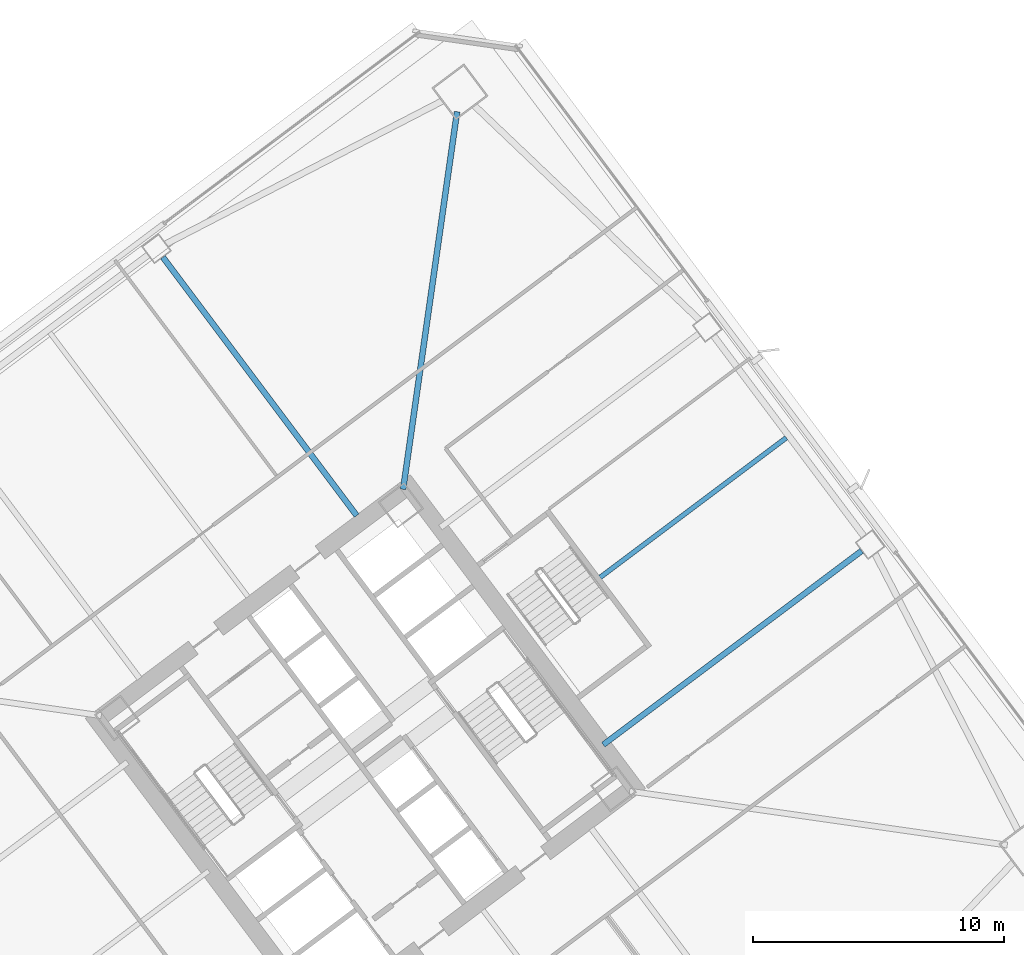
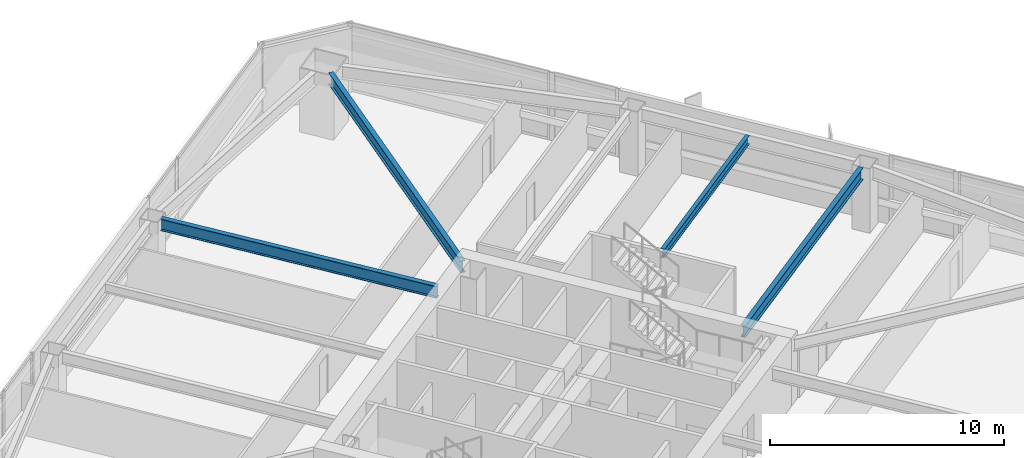
# One storey, part 34 of 62: 4 beams.
"""IFC4 building model written with IfcOpenShell, lengths in metres."""

from ifc_helpers import new_model, si_unit, direction, frame, origin, origin_2d, place, context, subcontext, project, spatial, i_section, extrude, material, material_profile, profile_set, type_object, element, save


model = new_model("IFC4")

# Units and contexts
model_context = context("Model", 3, precision=1e-05, world=origin(), true_north=direction((0.0, 1.0)))
body_context = subcontext(model_context, "Body", "Model", "MODEL_VIEW")
ifc_project = project(units=[si_unit("LENGTHUNIT", "METRE"), si_unit("AREAUNIT", "SQUARE_METRE"), si_unit("VOLUMEUNIT", "CUBIC_METRE"), si_unit("PLANEANGLEUNIT", "RADIAN"), si_unit("MASSUNIT", "GRAM", prefix="KILO")], contexts=[model_context])

# Site, building, storey
site_placement = place(None, origin())
site = spatial("IfcSite", under=ifc_project, at=site_placement, CompositionType="ELEMENT")
building_placement = place(site_placement, origin())
building = spatial("IfcBuilding", under=site, at=building_placement, Name="Tashvorn Skyway Center", CompositionType="ELEMENT")
storey_placement = place(building_placement, frame((0.0, 0.0, 28.14990234375)))
storey = spatial("IfcBuildingStorey", under=building, at=storey_placement, Name="L06", CompositionType="ELEMENT", Elevation=28.14990234375)

# Beams
ifc_material = material(Name="Steel ASTM A992 Grade 50", Category="steel")
ifc_material_profile_1 = material_profile(ifc_material, i_section(OverallWidth=0.22998046875, OverallDepth=0.616943359375, WebThickness=0.01318359375, FlangeThickness=0.022216796875, at=origin_2d()), Name="W24X94")
ifc_profile_set_1 = profile_set([ifc_material_profile_1], Name="Steel ASTM A992 Grade 50")
beam_type_1 = type_object("IfcBeamType", Name="BM-BEAM-W24X94", PredefinedType="BEAM", material=ifc_profile_set_1)
beam_1_placement = place(storey_placement, frame((117.6474609375, 57.532958984375, 3.04150390625), z_axis=(-0.141414599991, -0.989950458816, 0.0), x_axis=(0.989950458816, -0.141414599991, 0.0)))
element("IfcBeam", 1, at=beam_1_placement, inside=storey, type_object=beam_type_1, Name="Tower 2 L06 Primary Floor Girder MC-NE", PredefinedType="BEAM", context=body_context, shape_type="SweptSolid", body=[
    extrude(i_section(OverallWidth=0.22998046875, OverallDepth=0.616943359375, WebThickness=0.01318359375, FlangeThickness=0.022216796875, at=origin_2d()), origin(), (0.0, 0.0, 1.0), 15.177001953125),
])
for number, where, z_axis, x_axis, name in (
    (2, (133.743896484375, 40.05810546875, 3.04150390625), (-0.799986320265, -0.600018239213, 0.0), (0.600018239213, -0.799986320265, 0.0), "Tower 2 L06 Primary Floor Girder FC-E1"),
    (3, (105.94189453125, 51.743896484375, 3.04150390625), (0.600018239213, -0.799986320265, 0.0), (0.799986320265, 0.600018239213, 0.0), "Tower 2 L06 Primary Floor Girder FC-N1"),
):
    element("IfcBeam", number, at=place(storey_placement, frame(where, z_axis=z_axis, x_axis=x_axis)), inside=storey, type_object=beam_type_1, Name=name, PredefinedType="BEAM", context=body_context, shape_type="SweptSolid", body=[
        extrude(i_section(OverallWidth=0.22998046875, OverallDepth=0.616943359375, WebThickness=0.01318359375, FlangeThickness=0.022216796875, at=origin_2d()), origin(), (0.0, 0.0, 1.0), 12.849853515625),
    ])
ifc_material_profile_2 = material_profile(ifc_material, i_section(OverallWidth=0.19091796875, OverallDepth=0.4599609375, WebThickness=0.010009765625, FlangeThickness=0.01611328125, at=origin_2d()), Name="W18X55")
ifc_profile_set_2 = profile_set([ifc_material_profile_2], Name="Steel ASTM A992 Grade 50")
beam_type_2 = type_object("IfcBeamType", Name="BM-JOIST-W18X55", PredefinedType="JOIST", material=ifc_profile_set_2)
beam_2_placement = place(storey_placement, frame((123.3359375, 39.001953125, 3.1201171875), z_axis=(0.799990508532, 0.600012655082, 0.0), x_axis=(-0.600012655082, 0.799990508532, 0.0)))
element("IfcBeam", 4, at=beam_2_placement, inside=storey, type_object=beam_type_2, Name="Tower 2 L06 Secondary Composite Joist JE", PredefinedType="JOIST", context=body_context, shape_type="SweptSolid", body=[
    extrude(i_section(OverallWidth=0.19091796875, OverallDepth=0.4599609375, WebThickness=0.010009765625, FlangeThickness=0.01611328125, at=origin_2d()), origin(), (0.0, 0.0, 1.0), 9.260009765625),
])

save(model, "model.ifc")
